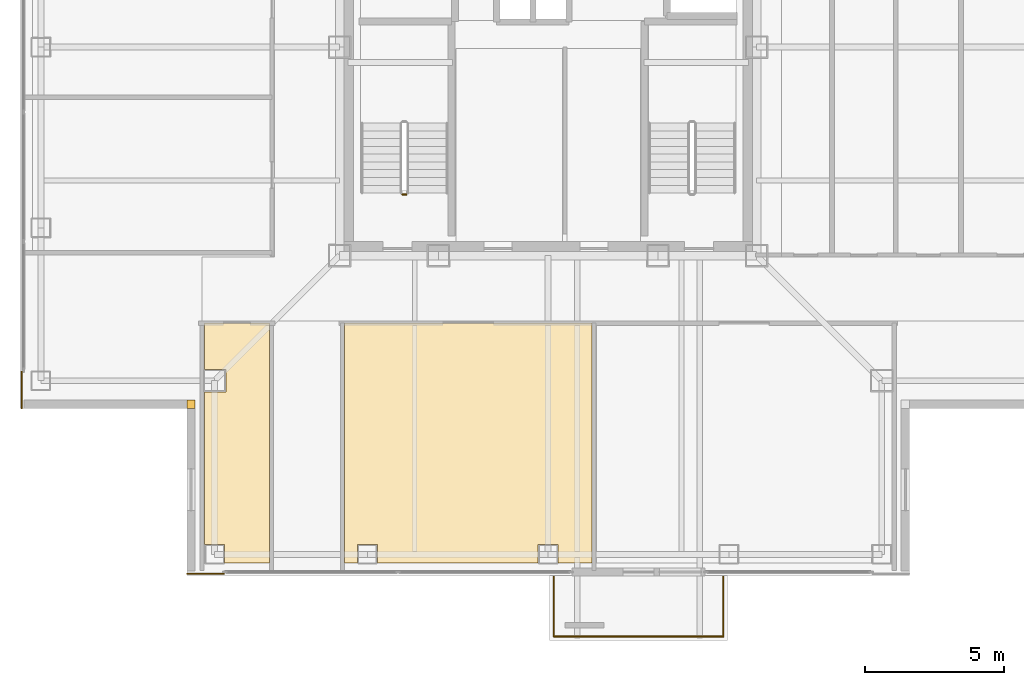
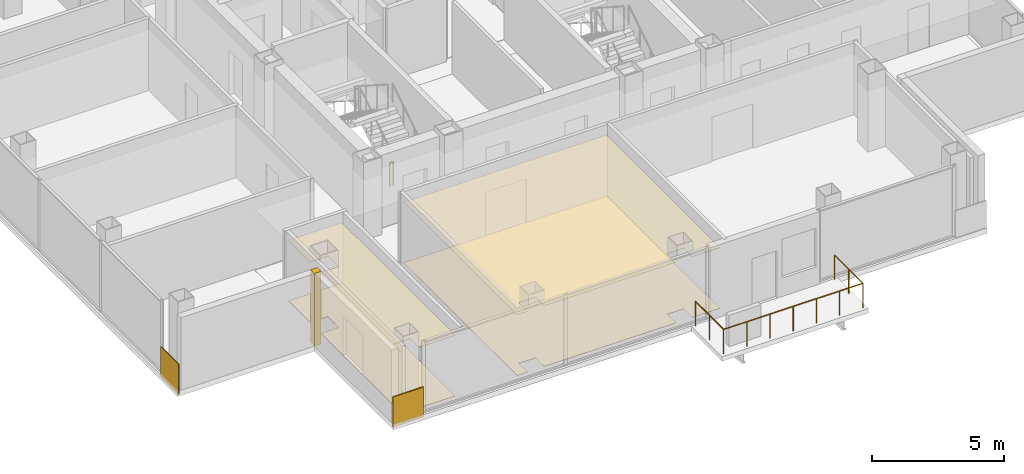
# One storey, part 10 of 15: 7 coverings, 4 railings.
"""IFC4 building model written with IfcOpenShell, lengths in metres."""

import ifcopenshell
import ifcopenshell.guid

model = None  # the IFC model being written
_history = None  # IfcOwnerHistory: only IFC2X3 demands one
_inside = {}  # id of a spatial element -> (the spatial element, [elements in it])
_under = {}  # id of a project, library or spatial element -> (it, [spatial elements below it])
_declared = {}  # id of a project -> (the project, [libraries it declares])
_typed = {}  # id of a type object -> (the type object, [elements of that type])
_made_of = {}  # id of a material, layer set ... -> (it, [elements and type objects made of it])


def new_model(schema):
    """Start an empty IFC model of exactly this schema.

    Asked for "IFC4X3", IfcOpenShell would pick the latest addendum, in which some entities
    have other attributes; the version numbers below select the first issue.
    IFC2X3 requires an IfcOwnerHistory on every rooted entity: one is made here for all.
    """
    global model, _history
    if schema == "IFC4X3":
        model = ifcopenshell.file(schema_version=(4, 3, 0, 0))
    else:
        model = ifcopenshell.file(schema=schema)
    _inside.clear()
    _under.clear()
    _declared.clear()
    _typed.clear()
    _made_of.clear()
    _history = None
    if model.schema == "IFC2X3":
        org = make("IfcOrganization", Name="unknown")
        user = make(
            "IfcPersonAndOrganization",
            ThePerson=make("IfcPerson", FamilyName="unknown"),
            TheOrganization=org,
        )
        app = make(
            "IfcApplication",
            ApplicationDeveloper=org,
            Version="unknown",
            ApplicationFullName="unknown",
            ApplicationIdentifier="unknown",
        )
        _history = make(
            "IfcOwnerHistory",
            OwningUser=user,
            OwningApplication=app,
            ChangeAction="ADDED",
            CreationDate=0,
        )
    return model


def make(cls, **values):
    """One entity of the class cls with the attributes given. An attribute that is None is left unset."""
    return model.create_entity(
        cls, **{name: value for name, value in values.items() if value is not None}
    )


def rooted(cls, **values):
    """An entity with a GlobalId (a new one), such as an element, a storey or a relation."""
    return make(cls, GlobalId=ifcopenshell.guid.new(), OwnerHistory=_history, **values)


def si_unit(unit_type, name, prefix=None):
    """IfcSIUnit, for example si_unit("LENGTHUNIT", "METRE", prefix="MILLI")."""
    return make("IfcSIUnit", UnitType=unit_type, Prefix=prefix, Name=name)


def assignment(units):
    """IfcUnitAssignment: the units of a project."""
    return None if units is None else make("IfcUnitAssignment", Units=units)


def point(xyz):
    """IfcCartesianPoint."""
    return None if xyz is None else make("IfcCartesianPoint", Coordinates=xyz)


def direction(xyz):
    """IfcDirection."""
    return None if xyz is None else make("IfcDirection", DirectionRatios=xyz)


def frame(location, z_axis=None, x_axis=None):
    """IfcAxis2Placement3D, a coordinate frame: its origin and axes. An axis left out is left unset."""
    return make(
        "IfcAxis2Placement3D",
        Location=point(location),
        Axis=direction(z_axis),
        RefDirection=direction(x_axis),
    )


def frame_2d(location, x_axis=None):
    """IfcAxis2Placement2D, a coordinate frame in the plane: its origin and x axis."""
    return make(
        "IfcAxis2Placement2D", Location=point(location), RefDirection=direction(x_axis)
    )


def origin():
    """The frame at (0, 0, 0) with its axes left unset."""
    return frame((0.0, 0.0, 0.0))


def origin_2d():
    """The frame at (0, 0) in the plane with its x axis left unset."""
    return frame_2d((0.0, 0.0))


def place(relative_to, where):
    """IfcLocalPlacement: puts the frame where relative to a parent placement (None: the world)."""
    return make(
        "IfcLocalPlacement", PlacementRelTo=relative_to, RelativePlacement=where
    )


def context(
    kind, dimensions, precision=None, world=None, true_north=None, identifier=None
):
    """IfcGeometricRepresentationContext, for example the 3D "Model" context."""
    return make(
        "IfcGeometricRepresentationContext",
        ContextIdentifier=identifier,
        ContextType=kind,
        CoordinateSpaceDimension=dimensions,
        Precision=precision,
        WorldCoordinateSystem=world,
        TrueNorth=true_north,
    )


def subcontext(parent, identifier, kind, view, scale=None):
    """IfcGeometricRepresentationSubContext, for example "Body" below "Model"."""
    return make(
        "IfcGeometricRepresentationSubContext",
        ContextIdentifier=identifier,
        ContextType=kind,
        ParentContext=parent,
        TargetScale=scale,
        TargetView=view,
    )


def project(units=None, contexts=None):
    """IfcProject with its units and contexts."""
    return rooted(
        "IfcProject",
        Name="project",
        RepresentationContexts=contexts,
        UnitsInContext=assignment(units),
    )


def spatial(cls, under=None, at=None, **own):
    """A site, building, storey or space (cls), placed at a placement, below another one or the project."""
    s = rooted(cls, ObjectPlacement=at, **own)
    if under is not None:
        _under.setdefault(under.id(), (under, []))[1].append(s)
    return s


def polyline(points):
    """IfcPolyline through the points."""
    return make("IfcPolyline", Points=[point(p) for p in points])


def profile(cls, at=None, kind="AREA", **sizes):
    """A parametric profile (cls). Its sizes go by their IFC names, for example OverallWidth=200.0."""
    return make(cls, ProfileType=kind, Position=at, **sizes)


def rectangle(**sizes):
    """IfcRectangleProfileDef."""
    return profile("IfcRectangleProfileDef", **sizes)


def circle(**sizes):
    """IfcCircleProfileDef."""
    return profile("IfcCircleProfileDef", **sizes)


def outline(outer, holes=None, kind="AREA"):
    """IfcArbitraryClosedProfileDef: a profile drawn as a closed curve; with holes, ...WithVoids."""
    if holes is None:
        return make("IfcArbitraryClosedProfileDef", ProfileType=kind, OuterCurve=outer)
    return make(
        "IfcArbitraryProfileDefWithVoids",
        ProfileType=kind,
        OuterCurve=outer,
        InnerCurves=holes,
    )


def extrude(swept, where, along, depth):
    """IfcExtrudedAreaSolid: the profile swept, set in the frame where, extruded along a direction by depth."""
    return make(
        "IfcExtrudedAreaSolid",
        SweptArea=swept,
        Position=where,
        ExtrudedDirection=direction(along),
        Depth=depth,
    )


def shape(context_of_items, identifier, shape_type, items):
    """IfcShapeRepresentation: the items that make up one representation, for example the "Body"."""
    return make(
        "IfcShapeRepresentation",
        ContextOfItems=context_of_items,
        RepresentationIdentifier=identifier,
        RepresentationType=shape_type,
        Items=items,
    )


def material(Name=None, Category=None):
    """IfcMaterial."""
    return make("IfcMaterial", Name=Name, Category=Category)


def layer(
    of_material, thickness, ventilated=None, Name=None, Category=None, Priority=None
):
    """IfcMaterialLayer: one layer of a wall or slab, of a material (None: an air gap)."""
    return make(
        "IfcMaterialLayer",
        Material=of_material,
        LayerThickness=thickness,
        IsVentilated=ventilated,
        Name=Name,
        Category=Category,
        Priority=Priority,
    )


def layer_set(layers, Name=None):
    """IfcMaterialLayerSet."""
    return make("IfcMaterialLayerSet", MaterialLayers=layers, LayerSetName=Name)


def made_of(thing, what):
    """Note that an element or type object is made of a material, layer set ...; save() writes the relation."""
    if what is not None:
        _made_of.setdefault(what.id(), (what, []))[1].append(thing)
    return thing


def type_object(cls, material=None, **own):
    """A type object (cls), such as IfcWallType, which elements share."""
    return made_of(rooted(cls, **own), material)


def element(
    cls,
    number,
    at=None,
    inside=None,
    cuts=None,
    type_object=None,
    material=None,
    context=None,
    identifier="Body",
    shape_type=None,
    held_by="IfcProductDefinitionShape",
    body=None,
    shapes=None,
    **own,
):
    """One element of the class cls, such as IfcWall. Its Tag is "e" and its number.

    at: its placement. inside: the storey or other place that contains it. cuts: it is an
    opening in that element (IfcRelVoidsElement). A single representation is given by context,
    identifier, shape_type and body (its items); several are given by shapes. held_by: the class
    of the entity that holds the representations. save() writes the other relations.
    """
    e = rooted(cls, Tag="e%d" % number, ObjectPlacement=at, **own)
    if body is not None:
        shapes = [shape(context, identifier, shape_type, body)]
    if shapes is not None:
        e.Representation = make(held_by, Representations=shapes)
    if inside is not None:
        _inside.setdefault(inside.id(), (inside, []))[1].append(e)
    if cuts is not None:
        rooted(
            "IfcRelVoidsElement", RelatingBuildingElement=cuts, RelatedOpeningElement=e
        )
    if type_object is not None:
        _typed.setdefault(type_object.id(), (type_object, []))[1].append(e)
    return made_of(e, material)


def aggregate(whole, parts):
    """IfcRelAggregates: a whole, such as a stair, and the parts it consists of."""
    return rooted("IfcRelAggregates", RelatingObject=whole, RelatedObjects=parts)


def save(model, path):
    """Write the relations noted so far, then the file.

    IfcRelAggregates (storeys below a building ...), IfcRelContainedInSpatialStructure (elements
    in a storey), IfcRelDefinesByType, IfcRelAssociatesMaterial and IfcRelDeclares: one each for
    every whole, place, type object, material and project.
    """
    for whole, parts in _under.values():
        aggregate(whole, parts)
    for where, things in _inside.values():
        rooted(
            "IfcRelContainedInSpatialStructure",
            RelatedElements=things,
            RelatingStructure=where,
        )
    for kind, things in _typed.values():
        rooted("IfcRelDefinesByType", RelatedObjects=things, RelatingType=kind)
    for what, things in _made_of.values():
        rooted("IfcRelAssociatesMaterial", RelatedObjects=things, RelatingMaterial=what)
    for by, libraries in _declared.values():
        rooted("IfcRelDeclares", RelatingContext=by, RelatedDefinitions=libraries)
    model.write(path)


model = new_model("IFC4")

# Units and contexts
model_context = context("Model", 3, precision=1e-05, world=origin(), true_north=direction((0.0, 1.0)))
body_context = subcontext(model_context, "Body", "Model", "MODEL_VIEW")
ifc_project = project(units=[si_unit("LENGTHUNIT", "METRE"), si_unit("AREAUNIT", "SQUARE_METRE"), si_unit("VOLUMEUNIT", "CUBIC_METRE"), si_unit("PLANEANGLEUNIT", "RADIAN"), si_unit("MASSUNIT", "GRAM", prefix="KILO")], contexts=[model_context])

# Site, building, storey
site_placement = place(None, origin())
site = spatial("IfcSite", under=ifc_project, at=site_placement, CompositionType="ELEMENT")
building_placement = place(site_placement, origin())
building = spatial("IfcBuilding", under=site, at=building_placement, Name="Trevonay Congress Spire", CompositionType="ELEMENT")
storey_placement = place(building_placement, frame((0.0, 0.0, 275.60009765625)))
storey = spatial("IfcBuildingStorey", under=building, at=storey_placement, Name="L72", CompositionType="ELEMENT", Elevation=275.60009765625)

# Coverings
ifc_material_1 = material(Name="Acoustic Mineral Fibre Board", Category="gypsum")
ifc_layer_1 = layer(ifc_material_1, 0.02490234375, Name="Acoustic Mineral Fibre Board")
ifc_layer_set_1 = layer_set([ifc_layer_1], Name="Acoustic Mineral Fibre Board")
covering_type_1 = type_object("IfcCoveringType", Name="COV-CEIL-ACOUSTIC", PredefinedType="CEILING", material=ifc_layer_set_1)
covering_1_placement = place(storey_placement, frame((0.0, 0.0, 2.809814453125)))
element("IfcCovering", 1, at=covering_1_placement, inside=storey, type_object=covering_type_1, Name="L72 Managing Director Suite Office acoustic suspended ceiling", PredefinedType="CEILING", context=body_context, shape_type="SweptSolid", body=[
    extrude(outline(polyline([(-12.3701171875, -18.550048828125), (-12.3701171875, -12.409912109375), (-11.590087890625, -12.409912109375), (-11.590087890625, -11.590087890625), (-12.3701171875, -11.590087890625), (-12.3701171875, -9.929931640625), (-10.030029296875, -9.929931640625), (-10.030029296875, -18.550048828125), (-11.639892578125, -18.550048828125), (-11.639892578125, -17.889892578125), (-12.360107421875, -17.889892578125), (-12.360107421875, -18.550048828125), (-12.3701171875, -18.550048828125)])), origin(), (0.0, 0.0, 1.0), 0.025146484375),
])
covering_2_placement = place(storey_placement, frame((0.0, 0.0, 2.809814453125)))
element("IfcCovering", 2, at=covering_2_placement, inside=storey, type_object=covering_type_1, Name="L72 Investment Committee Boardroom acoustic suspended ceiling", PredefinedType="CEILING", context=body_context, shape_type="SweptSolid", body=[
    extrude(outline(polyline([(-7.320068359375, -18.550048828125), (-7.320068359375, -9.929931640625), (1.570068359375, -9.929931640625), (1.570068359375, -18.550048828125), (0.360107421875, -18.550048828125), (0.360107421875, -17.889892578125), (-0.360107421875, -17.889892578125), (-0.360107421875, -18.550048828125), (-6.139892578125, -18.550048828125), (-6.139892578125, -17.889892578125), (-6.860107421875, -17.889892578125), (-6.860107421875, -18.550048828125), (-7.320068359375, -18.550048828125)])), origin(), (0.0, 0.0, 1.0), 0.025146484375),
])
ifc_material_2 = material(Name="Engineered Oak Flooring", Category="wood")
ifc_layer_2 = layer(ifc_material_2, 0.01806640625, Name="Engineered Oak Flooring")
ifc_layer_set_2 = layer_set([ifc_layer_2], Name="Engineered Oak Flooring")
covering_type_2 = type_object("IfcCoveringType", Name="COV-FLOOR-TIMBER", PredefinedType="FLOORING", material=ifc_layer_set_2)
covering_3_placement = place(storey_placement, origin())
element("IfcCovering", 3, at=covering_3_placement, inside=storey, type_object=covering_type_2, Name="L72 Managing Director Suite Office floor finish", PredefinedType="FLOORING", context=body_context, shape_type="SweptSolid", body=[
    extrude(outline(polyline([(-12.3701171875, -18.550048828125), (-12.3701171875, -12.409912109375), (-11.590087890625, -12.409912109375), (-11.590087890625, -11.590087890625), (-12.3701171875, -11.590087890625), (-12.3701171875, -9.929931640625), (-10.030029296875, -9.929931640625), (-10.030029296875, -18.550048828125), (-11.639892578125, -18.550048828125), (-11.639892578125, -17.889892578125), (-12.360107421875, -17.889892578125), (-12.360107421875, -18.550048828125), (-12.3701171875, -18.550048828125)])), origin(), (0.0, 0.0, 1.0), 0.017822265625),
])
covering_4_placement = place(storey_placement, origin())
element("IfcCovering", 4, at=covering_4_placement, inside=storey, type_object=covering_type_2, Name="L72 Investment Committee Boardroom floor finish", PredefinedType="FLOORING", context=body_context, shape_type="SweptSolid", body=[
    extrude(outline(polyline([(-7.320068359375, -18.550048828125), (-7.320068359375, -9.929931640625), (1.570068359375, -9.929931640625), (1.570068359375, -18.550048828125), (0.360107421875, -18.550048828125), (0.360107421875, -17.889892578125), (-0.360107421875, -17.889892578125), (-0.360107421875, -18.550048828125), (-6.139892578125, -18.550048828125), (-6.139892578125, -17.889892578125), (-6.860107421875, -17.889892578125), (-6.860107421875, -18.550048828125), (-7.320068359375, -18.550048828125)])), origin(), (0.0, 0.0, 1.0), 0.017822265625),
])
ifc_material_3 = material(Name="Pale Anodised Aluminium EN AW-6063-T6", Category="aluminium")
ifc_layer_3 = layer(ifc_material_3, 0.0400390625, Name="Pale Anodised Aluminium EN AW-6063-T6")
ifc_layer_set_3 = layer_set([ifc_layer_3], Name="Pale Anodised Aluminium EN AW-6063-T6")
covering_type_3 = type_object("IfcCoveringType", Name="COV-SPANDREL-PALE-METAL", PredefinedType="CLADDING", material=ifc_layer_set_3)
covering_5_placement = place(storey_placement, origin())
element("IfcCovering", 5, at=covering_5_placement, inside=storey, type_object=covering_type_3, Name="L72 SW re-entrant notch corner closure trim", PredefinedType="CLADDING", context=body_context, shape_type="SweptSolid", body=[
    extrude(outline(polyline([(-13.0, -13.0), (-12.699951171875, -13.0), (-12.699951171875, -12.699951171875), (-13.0, -12.699951171875), (-13.0, -13.0)])), origin(), (0.0, 0.0, 1.0), 3.35986328125),
])
for number, where, z_axis, x_axis, name in (
    (6, (-18.93994140625, -11.64990234375, -0.150146484375), (0.0, 0.0, 1.0), (0.0, -1.0, 0.0), "L72 SW corner pier spandrel cladding 1"),
    (7, (-11.64990234375, -18.93994140625, -0.150146484375), (0.0, 0.0, 1.0), (-1.0, 0.0, 0.0), "L72 SW corner pier spandrel cladding 2"),
):
    element("IfcCovering", number, at=place(storey_placement, frame(where, z_axis=z_axis, x_axis=x_axis)), inside=storey, type_object=covering_type_3, Name=name, PredefinedType="CLADDING", context=body_context, shape_type="SweptSolid", body=[
        extrude(rectangle(XDim=1.35009765625, YDim=0.0400390625, at=frame_2d((0.675048828125, 0.0))), origin(), (0.0, 0.0, 1.0), 1.400146484375),
    ])

# Railings
railing_type_1 = type_object("IfcRailingType", Name="RAL-EXT-GUARD-115", PredefinedType="GUARDRAIL", material=ifc_material_3)
railing_1_placement = place(storey_placement, frame((0.199951171875, -19.050048828125, 0.0)))
element("IfcRailing", 8, at=railing_1_placement, inside=storey, type_object=railing_type_1, Name="L72 perimeter safety guard GRD-L72-TBAL-S-1", PredefinedType="GUARDRAIL", context=body_context, shape_type="SweptSolid", body=[
    extrude(circle(Radius=0.02392578125, at=origin_2d()), frame((0.0, 0.0, 1.1259765625), z_axis=(0.0, -1.0, 0.0), x_axis=(1.0, 0.0, 0.0)), (0.0, 0.0, 1.0), 2.14990234375),
    extrude(circle(Radius=0.02099609375, at=origin_2d()), origin(), (0.0, 0.0, 1.0), 1.101806640625),
    extrude(circle(Radius=0.02099609375, at=origin_2d()), frame((0.0, -1.074951171875, 0.0)), (0.0, 0.0, 1.0), 1.101806640625),
    extrude(circle(Radius=0.02099609375, at=origin_2d()), frame((0.0, -2.14990234375, 0.0)), (0.0, 0.0, 1.0), 1.101806640625),
])
railing_2_placement = place(storey_placement, frame((0.199951171875, -21.199951171875, 0.0)))
element("IfcRailing", 9, at=railing_2_placement, inside=storey, type_object=railing_type_1, Name="L72 perimeter safety guard GRD-L72-TBAL-S-2", PredefinedType="GUARDRAIL", context=body_context, shape_type="SweptSolid", body=[
    extrude(circle(Radius=0.02392578125, at=origin_2d()), frame((0.0, 0.0, 1.1259765625), z_axis=(1.0, 0.0, 0.0), x_axis=(0.0, 1.0, 0.0)), (0.0, 0.0, 1.0), 6.10009765625),
    extrude(circle(Radius=0.02099609375, at=origin_2d()), origin(), (0.0, 0.0, 1.0), 1.101806640625),
    extrude(circle(Radius=0.02099609375, at=origin_2d()), frame((1.0166015625, 0.0, 0.0)), (0.0, 0.0, 1.0), 1.101806640625),
    extrude(circle(Radius=0.02099609375, at=origin_2d()), frame((2.033447265625, 0.0, 0.0)), (0.0, 0.0, 1.0), 1.101806640625),
    extrude(circle(Radius=0.02099609375, at=origin_2d()), frame((3.050048828125, 0.0, 0.0)), (0.0, 0.0, 1.0), 1.101806640625),
    extrude(circle(Radius=0.02099609375, at=origin_2d()), frame((4.066650390625, 0.0, 0.0)), (0.0, 0.0, 1.0), 1.101806640625),
    extrude(circle(Radius=0.02099609375, at=origin_2d()), frame((5.08349609375, 0.0, 0.0)), (0.0, 0.0, 1.0), 1.101806640625),
    extrude(circle(Radius=0.02099609375, at=origin_2d()), frame((6.10009765625, 0.0, 0.0)), (0.0, 0.0, 1.0), 1.101806640625),
])
railing_3_placement = place(storey_placement, frame((6.300048828125, -21.199951171875, 0.0)))
element("IfcRailing", 10, at=railing_3_placement, inside=storey, type_object=railing_type_1, Name="L72 perimeter safety guard GRD-L72-TBAL-S-3", PredefinedType="GUARDRAIL", context=body_context, shape_type="SweptSolid", body=[
    extrude(circle(Radius=0.02392578125, at=origin_2d()), frame((0.0, 0.0, 1.1259765625), z_axis=(0.0, 1.0, 0.0), x_axis=(-1.0, 0.0, 0.0)), (0.0, 0.0, 1.0), 2.14990234375),
    extrude(circle(Radius=0.02099609375, at=origin_2d()), origin(), (0.0, 0.0, 1.0), 1.101806640625),
    extrude(circle(Radius=0.02099609375, at=origin_2d()), frame((0.0, 1.074951171875, 0.0)), (0.0, 0.0, 1.0), 1.101806640625),
    extrude(circle(Radius=0.02099609375, at=origin_2d()), frame((0.0, 2.14990234375, 0.0)), (0.0, 0.0, 1.0), 1.101806640625),
])
railing_type_2 = type_object("IfcRailingType", Name="RAL-STAIR-GUARD-110", PredefinedType="GUARDRAIL", material=ifc_material_3)
railing_4_placement = place(storey_placement, frame((-5.10009765625, -5.300048828125, 0.0)))
element("IfcRailing", 11, at=railing_4_placement, inside=storey, type_object=railing_type_2, Name="L72 ST-1 stair guard 4", PredefinedType="GUARDRAIL", context=body_context, shape_type="SweptSolid", body=[
    extrude(circle(Radius=0.02392578125, at=origin_2d()), frame((0.0, 0.0, 1.1259765625), z_axis=(-1.0, 0.0, 0.0), x_axis=(0.0, -1.0, 0.0)), (0.0, 0.0, 1.0), 0.14990234375),
    extrude(circle(Radius=0.02099609375, at=origin_2d()), origin(), (0.0, 0.0, 1.0), 1.101806640625),
    extrude(circle(Radius=0.02099609375, at=origin_2d()), frame((-0.14990234375, 0.0, 0.0)), (0.0, 0.0, 1.0), 1.101806640625),
])

save(model, "model.ifc")
